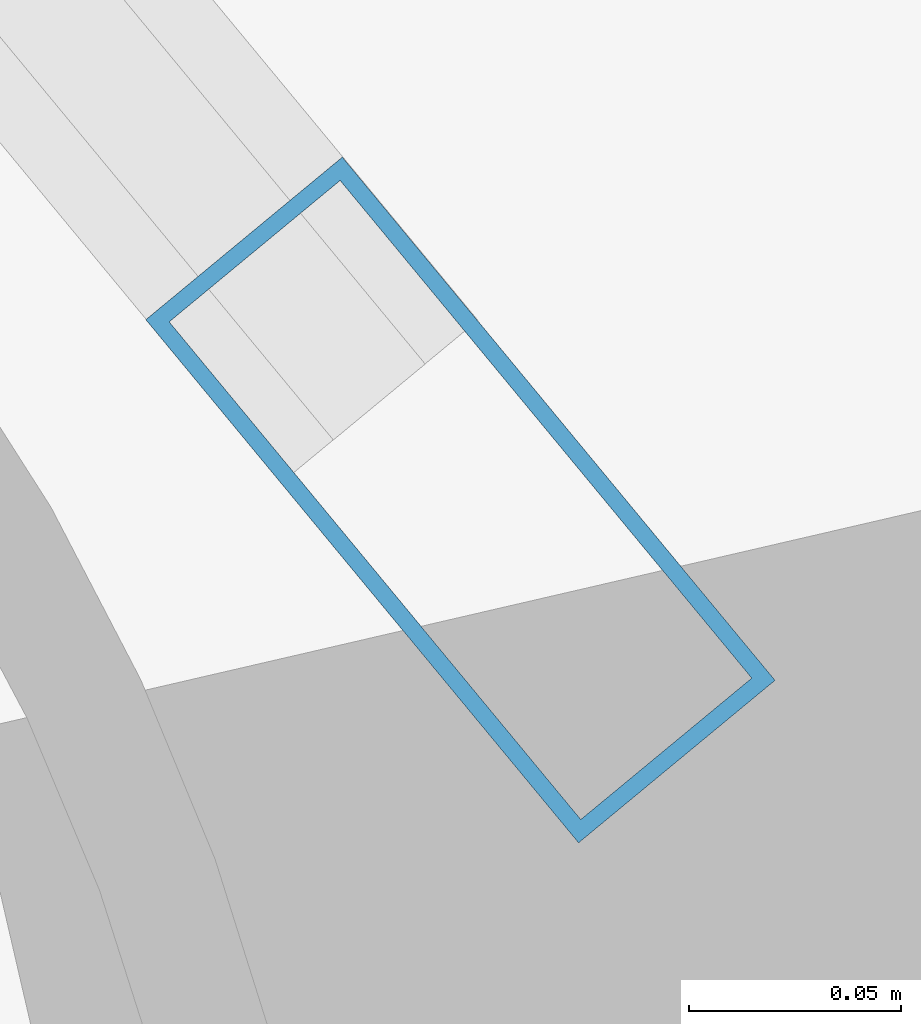
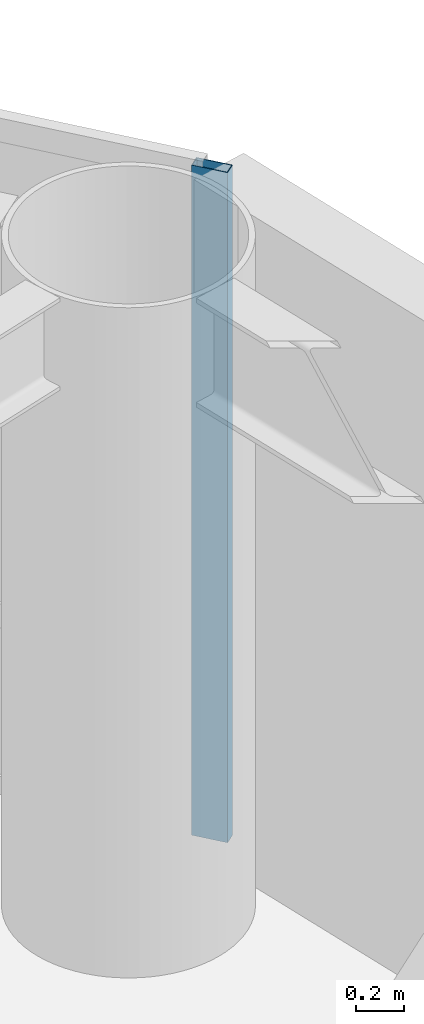
# One storey, part 9 of 30: 1 member, 1 element without a shape of its own.
"""IFC4 building model written with IfcOpenShell, lengths in metres."""

from ifc_helpers import new_model, si_unit, direction, frame, origin, origin_2d, place, context, subcontext, project, spatial, hollow_rectangle, extrude, material, layer, layer_set, material_profile, profile_set, type_object, element, aggregate, save


model = new_model("IFC4")

# Units and contexts
model_context = context("Model", 3, precision=1e-05, world=origin(), true_north=direction((0.0, 1.0)))
body_context = subcontext(model_context, "Body", "Model", "MODEL_VIEW")
ifc_project = project(units=[si_unit("LENGTHUNIT", "METRE"), si_unit("AREAUNIT", "SQUARE_METRE"), si_unit("VOLUMEUNIT", "CUBIC_METRE"), si_unit("PLANEANGLEUNIT", "RADIAN"), si_unit("MASSUNIT", "GRAM", prefix="KILO")], contexts=[model_context])

# Site, building, storey
site_placement = place(None, origin())
site = spatial("IfcSite", under=ifc_project, at=site_placement, CompositionType="ELEMENT")
building_placement = place(site_placement, origin())
building = spatial("IfcBuilding", under=site, at=building_placement, Name="Sarneth Arch Tower", CompositionType="ELEMENT")
storey_placement = place(building_placement, frame((0.0, 0.0, 168.60009765625)))
storey = spatial("IfcBuildingStorey", under=building, at=storey_placement, Name="L42", CompositionType="ELEMENT", Elevation=168.60009765625)

# Curtain wall, member
ifc_material_1 = material(Name="Anodised aluminium Type AA25 and solar-control low-e laminated IGU", Category="aluminium")
ifc_layer = layer(ifc_material_1, 0.169921875)
ifc_layer_set = layer_set([ifc_layer], Name="Anodised aluminium Type AA25 and solar-control low-e laminated IGU")
curtain_wall_type = type_object("IfcCurtainWallType", Name="CW-RES-MID", PredefinedType="NOTDEFINED", material=ifc_layer_set)
curtain_wall_placement = place(storey_placement, origin())
curtain_wall = element("IfcCurtainWall", 1, at=curtain_wall_placement, inside=storey, type_object=curtain_wall_type, Name="L42 Unitised curtain wall facet 02", PredefinedType="NOTDEFINED")
ifc_material_2 = material(Name="Anodised Aluminium 6063-T6", Category="aluminium")
ifc_material_profile = material_profile(ifc_material_2, hollow_rectangle(XDim=0.06005859375, YDim=0.159912109375, WallThickness=0.00390625, at=origin_2d()), Name="AL-MULL-160x60x4")
ifc_profile_set = profile_set([ifc_material_profile], Name="Anodised Aluminium 6063-T6")
member_type = type_object("IfcMemberType", Name="CW-MULLION", PredefinedType="MULLION", material=ifc_profile_set)
member_placement = place(storey_placement, frame((73.213134765625, 50.090087890625, 0.0), z_axis=(0.0, 0.0, 1.0), x_axis=(-0.770590741276, -0.637330298558, 0.0)))
member = element("IfcMember", 2, at=member_placement, type_object=member_type, Name="CW-SYS-5 mullion 1", PredefinedType="MULLION", context=body_context, shape_type="SweptSolid", body=[
    extrude(hollow_rectangle(XDim=0.06005859375, YDim=0.159912109375, WallThickness=0.00390625, at=origin_2d()), origin(), (0.0, 0.0, 1.0), 3.3798828125),
])
aggregate(curtain_wall, [member])

save(model, "model.ifc")
